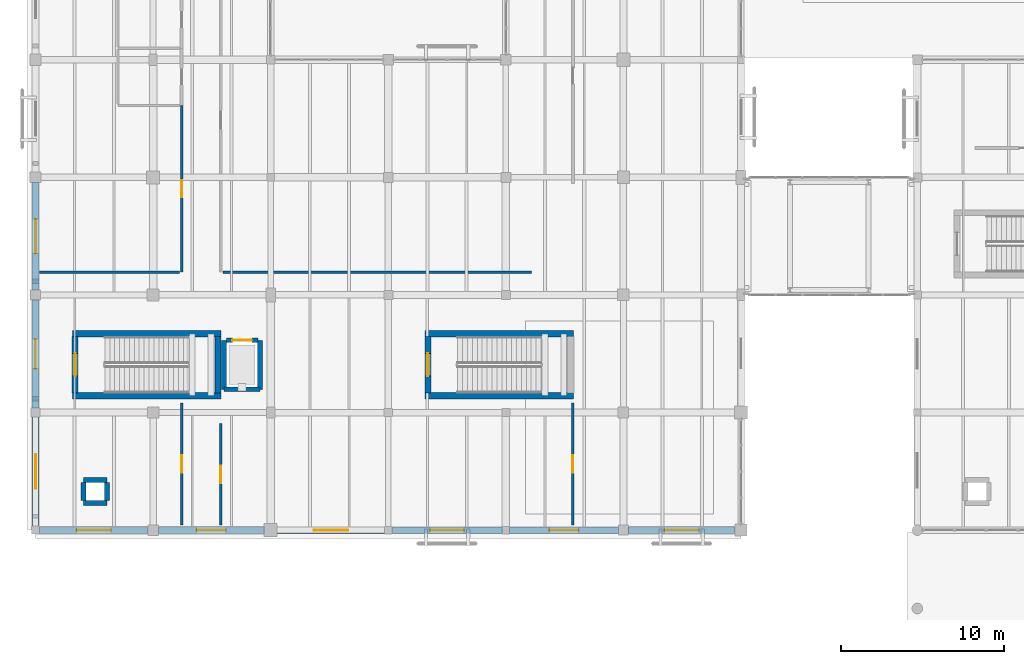
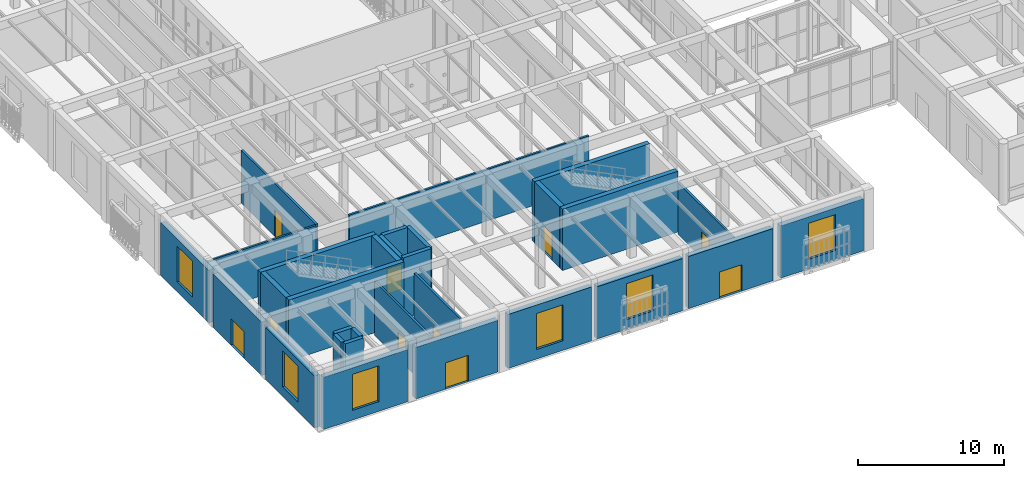
# One storey, part 120 of 169: 30 walls, 10 doors, 6 windows, 16 openings.
"""IFC4 building model written with IfcOpenShell, lengths in metres."""

from ifc_helpers import new_model, si_unit, direction, frame, frame_2d, origin, place, context, subcontext, project, spatial, rectangle, extrude, material, layer, layer_set, type_object, element, fill, save


model = new_model("IFC4")

# Units and contexts
model_context = context("Model", 3, precision=1e-05, world=origin(), true_north=direction((0.0, 1.0)))
body_context = subcontext(model_context, "Body", "Model", "MODEL_VIEW")
ifc_project = project(units=[si_unit("LENGTHUNIT", "METRE"), si_unit("AREAUNIT", "SQUARE_METRE"), si_unit("VOLUMEUNIT", "CUBIC_METRE"), si_unit("PLANEANGLEUNIT", "RADIAN"), si_unit("MASSUNIT", "GRAM", prefix="KILO")], contexts=[model_context])

# Site, building, storey
site_placement = place(None, origin())
site = spatial("IfcSite", under=ifc_project, at=site_placement, CompositionType="ELEMENT")
building_placement = place(site_placement, origin())
building = spatial("IfcBuilding", under=site, at=building_placement, Name="Mazaris Harbour Polytechnic", CompositionType="ELEMENT")
storey_placement = place(building_placement, origin())
storey = spatial("IfcBuildingStorey", under=building, at=storey_placement, Name="L00", CompositionType="ELEMENT", Elevation=0.0)

# Walls
ifc_material_1 = material(Name="Double Gypsum and Mineral Wool")
ifc_layer_1 = layer(ifc_material_1, 0.14990234375, Name="Double Gypsum and Mineral Wool")
ifc_layer_set_1 = layer_set([ifc_layer_1], Name="Double Gypsum and Mineral Wool")
wall_type_1 = type_object("IfcWallType", Name="Classroom Acoustic Partition 150", PredefinedType="PARTITIONING", material=ifc_layer_set_1)
wall_1_placement = place(storey_placement, frame((0.25, 23.0, 0.0), z_axis=(0.0, 0.0, 1.0), x_axis=(1.0, 0.0, 0.0)))
element("IfcWall", 1, at=wall_1_placement, inside=storey, type_object=wall_type_1, Name="V4 L00 Partition 290", PredefinedType="PARTITIONING", context=body_context, shape_type="SweptSolid", body=[
    extrude(rectangle(XDim=8.580078125, YDim=0.14990234375, at=frame_2d((4.2900390625, 0.0))), origin(), (0.0, 0.0, 1.0), 4.35009765625),
])
wall_2_placement = place(storey_placement, frame((11.469970703125, 23.0, 0.0), z_axis=(0.0, 0.0, 1.0), x_axis=(1.0, 0.0, 0.0)))
element("IfcWall", 2, at=wall_2_placement, inside=storey, type_object=wall_type_1, Name="V4 L00 Partition 302", PredefinedType="PARTITIONING", context=body_context, shape_type="SweptSolid", body=[
    extrude(rectangle(XDim=18.909912109375, YDim=0.14990234375, at=frame_2d((9.455078125, 0.0))), origin(), (0.0, 0.0, 1.0), 4.300048828125),
])

# Wall, opening, door
ifc_material_2 = material(Name="Fireboard and Mineral Wool")
ifc_layer_2 = layer(ifc_material_2, 0.1650390625, Name="Fireboard and Mineral Wool")
ifc_layer_set_2 = layer_set([ifc_layer_2], Name="Fireboard and Mineral Wool")
wall_type_2 = type_object("IfcWallType", Name="Laboratory Rated Partition 165", PredefinedType="PARTITIONING", material=ifc_layer_set_2)
wall_3_placement = place(storey_placement, frame((8.949951171875, 7.5, 0.0), z_axis=(0.0, 0.0, 1.0), x_axis=(0.0, 1.0, 0.0)))
wall_3 = element("IfcWall", 3, at=wall_3_placement, inside=storey, type_object=wall_type_2, Name="V4 L00 Partition 289", PredefinedType="PARTITIONING", context=body_context, shape_type="SweptSolid", body=[
    extrude(rectangle(XDim=7.4951171875, YDim=0.1650390625, at=frame_2d((3.74755859375, 0.0))), origin(), (0.0, 0.0, 1.0), 4.5),
])
opening_1_placement = place(wall_3_placement, frame((3.217529296875, 0.0, 0.0)))
opening_1 = element("IfcOpeningElement", 4, at=opening_1_placement, cuts=wall_3, Name="Opening ID-02R", PredefinedType="OPENING", context=body_context, shape_type="SweptSolid", body=[
    extrude(rectangle(XDim=1.06005859375, YDim=2.199951171875, at=frame_2d((0.530029296875, 1.10009765625))), frame((0.0, 0.092529296875, 0.0), z_axis=(0.0, -1.0, 0.0), x_axis=(1.0, 0.0, 0.0)), (0.0, 0.0, 1.0), 0.18505859375),
])
ifc_material_3 = material(Name="Solid Timber and Vision Panel", Category="wood")
door_type_1 = type_object("IfcDoorType", Name="Laboratory Fire Door RH 1060x2200", OperationType="SINGLE_SWING_RIGHT", PredefinedType="DOOR", material=ifc_material_3)
door_1_placement = place(opening_1_placement, origin())
door_1 = element("IfcDoor", 5, at=door_1_placement, inside=storey, type_object=door_type_1, Name="ID-0132", OperationType="SINGLE_SWING_RIGHT", OverallHeight=2.199951171875, OverallWidth=1.06005859375, PredefinedType="DOOR", context=body_context, shape_type="SweptSolid", body=[
    extrude(rectangle(XDim=1.06005859375, YDim=2.199951171875, at=frame_2d((0.530029296875, 1.10009765625))), frame((0.0, 0.02490234375, 0.0), z_axis=(0.0, -1.0, 0.0), x_axis=(1.0, 0.0, 0.0)), (0.0, 0.0, 1.0), 0.050048828125),
])
fill(opening_1, door_1)

wall_4_placement = place(storey_placement, frame((8.949951171875, 23.0, 0.0), z_axis=(0.0, 0.0, 1.0), x_axis=(0.0, 1.0, 0.0)))
wall_4 = element("IfcWall", 6, at=wall_4_placement, inside=storey, type_object=wall_type_2, Name="V4 L00 Partition 291", PredefinedType="PARTITIONING", context=body_context, shape_type="SweptSolid", body=[
    extrude(rectangle(XDim=10.195068359375, YDim=0.1650390625, at=frame_2d((5.09765625, 0.0))), origin(), (0.0, 0.0, 1.0), 4.39990234375),
])
opening_2_placement = place(wall_4_placement, frame((4.572509765625, 0.0, 0.0)))
opening_2 = element("IfcOpeningElement", 7, at=opening_2_placement, cuts=wall_4, Name="Opening ID-02L", PredefinedType="OPENING", context=body_context, shape_type="SweptSolid", body=[
    extrude(rectangle(XDim=1.050048828125, YDim=2.199951171875, at=frame_2d((0.52490234375, 1.10009765625))), frame((0.0, 0.092529296875, 0.0), z_axis=(0.0, -1.0, 0.0), x_axis=(1.0, 0.0, 0.0)), (0.0, 0.0, 1.0), 0.18505859375),
])
ifc_material_4 = material(Name="Solid Timber and Vision Panel", Category="wood")
door_type_2 = type_object("IfcDoorType", Name="Laboratory Fire Door LH 1050x2200", OperationType="SINGLE_SWING_LEFT", PredefinedType="DOOR", material=ifc_material_4)
door_2_placement = place(opening_2_placement, origin())
door_2 = element("IfcDoor", 8, at=door_2_placement, inside=storey, type_object=door_type_2, Name="ID-0133", OperationType="SINGLE_SWING_LEFT", OverallHeight=2.199951171875, OverallWidth=1.050048828125, PredefinedType="DOOR", context=body_context, shape_type="SweptSolid", body=[
    extrude(rectangle(XDim=1.050048828125, YDim=2.199951171875, at=frame_2d((0.52490234375, 1.10009765625))), frame((0.0, 0.02490234375, 0.0), z_axis=(0.0, -1.0, 0.0), x_axis=(1.0, 0.0, 0.0)), (0.0, 0.0, 1.0), 0.050048828125),
])
fill(opening_2, door_2)

wall_5_placement = place(storey_placement, frame((11.35009765625, 7.5, 0.0), z_axis=(0.0, 0.0, 1.0), x_axis=(0.0, 1.0, 0.0)))
wall_5 = element("IfcWall", 9, at=wall_5_placement, inside=storey, type_object=wall_type_2, Name="V4 L00 Partition 300", PredefinedType="PARTITIONING", context=body_context, shape_type="SweptSolid", body=[
    extrude(rectangle(XDim=6.219970703125, YDim=0.1650390625, at=frame_2d((3.10986328125, 0.0))), origin(), (0.0, 0.0, 1.0), 5.10009765625),
])
opening_3_placement = place(wall_5_placement, frame((2.580078125, 0.0, 0.0)))
opening_3 = element("IfcOpeningElement", 10, at=opening_3_placement, cuts=wall_5, Name="Opening ID-02R", PredefinedType="OPENING", context=body_context, shape_type="SweptSolid", body=[
    extrude(rectangle(XDim=1.06005859375, YDim=2.199951171875, at=frame_2d((0.530029296875, 1.10009765625))), frame((0.0, 0.092529296875, 0.0), z_axis=(0.0, -1.0, 0.0), x_axis=(1.0, 0.0, 0.0)), (0.0, 0.0, 1.0), 0.18505859375),
])
door_3_placement = place(opening_3_placement, origin())
door_3 = element("IfcDoor", 11, at=door_3_placement, inside=storey, type_object=door_type_1, Name="ID-0138", OperationType="SINGLE_SWING_RIGHT", OverallHeight=2.199951171875, OverallWidth=1.06005859375, PredefinedType="DOOR", context=body_context, shape_type="SweptSolid", body=[
    extrude(rectangle(XDim=1.06005859375, YDim=2.199951171875, at=frame_2d((0.530029296875, 1.10009765625))), frame((0.0, 0.02490234375, 0.0), z_axis=(0.0, -1.0, 0.0), x_axis=(1.0, 0.0, 0.0)), (0.0, 0.0, 1.0), 0.050048828125),
])
fill(opening_3, door_3)

wall_6_placement = place(storey_placement, frame((32.89990234375, 7.5, 0.0), z_axis=(0.0, 0.0, 1.0), x_axis=(0.0, 1.0, 0.0)))
wall_6 = element("IfcWall", 12, at=wall_6_placement, inside=storey, type_object=wall_type_2, Name="V4 L00 Partition 311", PredefinedType="PARTITIONING", context=body_context, shape_type="SweptSolid", body=[
    extrude(rectangle(XDim=7.4951171875, YDim=0.1650390625, at=frame_2d((3.74755859375, 0.0))), origin(), (0.0, 0.0, 1.0), 4.35009765625),
])
opening_4_placement = place(wall_6_placement, frame((3.217529296875, 0.0, 0.0)))
opening_4 = element("IfcOpeningElement", 13, at=opening_4_placement, cuts=wall_6, Name="Opening ID-02R", PredefinedType="OPENING", context=body_context, shape_type="SweptSolid", body=[
    extrude(rectangle(XDim=1.06005859375, YDim=2.199951171875, at=frame_2d((0.530029296875, 1.10009765625))), frame((0.0, 0.092529296875, 0.0), z_axis=(0.0, -1.0, 0.0), x_axis=(1.0, 0.0, 0.0)), (0.0, 0.0, 1.0), 0.18505859375),
])
door_4_placement = place(opening_4_placement, origin())
door_4 = element("IfcDoor", 14, at=door_4_placement, inside=storey, type_object=door_type_1, Name="ID-0144", OperationType="SINGLE_SWING_RIGHT", OverallHeight=2.199951171875, OverallWidth=1.06005859375, PredefinedType="DOOR", context=body_context, shape_type="SweptSolid", body=[
    extrude(rectangle(XDim=1.06005859375, YDim=2.199951171875, at=frame_2d((0.530029296875, 1.10009765625))), frame((0.0, 0.02490234375, 0.0), z_axis=(0.0, -1.0, 0.0), x_axis=(1.0, 0.0, 0.0)), (0.0, 0.0, 1.0), 0.050048828125),
])
fill(opening_4, door_4)

# Wall, opening, window
ifc_material_5 = material(Name="Algerian Buff Limestone and Concrete C35/45", Category="masonry")
ifc_layer_3 = layer(ifc_material_5, 0.409912109375, Name="Algerian Buff Limestone and Concrete C35/45")
ifc_layer_set_3 = layer_set([ifc_layer_3], Name="Algerian Buff Limestone and Concrete C35/45")
wall_type_3 = type_object("IfcWallType", Name="Limestone Rusticated Base Wall 410", PredefinedType="STANDARD", material=ifc_layer_set_3)
wall_7_placement = place(storey_placement, frame((6.883056640625, 7.199951171875, 0.0), z_axis=(0.0, 0.0, 1.0), x_axis=(-1.0, 0.0, 0.0)))
wall_7 = element("IfcWall", 15, at=wall_7_placement, inside=storey, type_object=wall_type_3, Name="V4 L00 Exterior Wall 128", PredefinedType="STANDARD", context=body_context, shape_type="SweptSolid", body=[
    extrude(rectangle(XDim=6.64111328125, YDim=0.409912109375, at=frame_2d((3.320556640625, 0.0))), origin(), (0.0, 0.0, 1.0), 4.35009765625),
])
opening_5_placement = place(wall_7_placement, frame((2.2705078125, 0.0, 0.800048828125)))
opening_5 = element("IfcOpeningElement", 16, at=opening_5_placement, cuts=wall_7, Name="Opening WN-05", PredefinedType="OPENING", context=body_context, shape_type="SweptSolid", body=[
    extrude(rectangle(XDim=2.10009765625, YDim=3.0, at=frame_2d((1.050048828125, 1.5))), frame((0.0, 0.21484375, 0.0), z_axis=(0.0, -1.0, 0.0), x_axis=(1.0, 0.0, 0.0)), (0.0, 0.0, 1.0), 0.429931640625),
])
ifc_material_6 = material(Name="Thermally Broken Bronze Aluminium and Low-E Glass", Category="aluminium")
window_type = type_object("IfcWindowType", Name="Podium Arch-Head Window 2100x3000", PartitioningType="DOUBLE_PANEL_VERTICAL", PredefinedType="WINDOW", material=ifc_material_6)
window_1_placement = place(opening_5_placement, origin())
window_1 = element("IfcWindow", 17, at=window_1_placement, inside=storey, type_object=window_type, Name="WN-0138", OverallHeight=3.0, OverallWidth=2.10009765625, PartitioningType="DOUBLE_PANEL_VERTICAL", PredefinedType="WINDOW", context=body_context, shape_type="SweptSolid", body=[
    extrude(rectangle(XDim=2.10009765625, YDim=3.0, at=frame_2d((1.050048828125, 1.5))), frame((0.0, 0.030029296875, 0.0), z_axis=(0.0, -1.0, 0.0), x_axis=(1.0, 0.0, 0.0)), (0.0, 0.0, 1.0), 0.06005859375),
])
fill(opening_5, window_1)

# Wall, opening, door
wall_8_placement = place(storey_placement, frame((14.008056640625, 7.199951171875, 0.0), z_axis=(0.0, 0.0, 1.0), x_axis=(-1.0, 0.0, 0.0)))
wall_8 = element("IfcWall", 18, at=wall_8_placement, inside=storey, type_object=wall_type_3, Name="V4 L00 Exterior Wall 129", PredefinedType="STANDARD", context=body_context, shape_type="SweptSolid", body=[
    extrude(rectangle(XDim=6.490966796875, YDim=0.409912109375, at=frame_2d((3.24560546875, 0.0))), origin(), (0.0, 0.0, 1.0), 4.300048828125),
])
opening_6_placement = place(wall_8_placement, frame((2.345458984375, 0.0, 0.0)))
opening_6 = element("IfcOpeningElement", 19, at=opening_6_placement, cuts=wall_8, Name="Opening ED-03", PredefinedType="OPENING", context=body_context, shape_type="SweptSolid", body=[
    extrude(rectangle(XDim=1.800048828125, YDim=2.199951171875, at=frame_2d((0.89990234375, 1.10009765625))), frame((0.0, 0.21484375, 0.0), z_axis=(0.0, -1.0, 0.0), x_axis=(1.0, 0.0, 0.0)), (0.0, 0.0, 1.0), 0.429931640625),
])
ifc_material_7 = material(Name="Anodised Bronze Steel and Laminated Safety Glass", Category="steel")
door_type_3 = type_object("IfcDoorType", Name="Perimeter Final Exit Door 1800x2200", OperationType="DOUBLE_DOOR_SINGLE_SWING", PredefinedType="DOOR", material=ifc_material_7)
door_5_placement = place(opening_6_placement, origin())
door_5 = element("IfcDoor", 20, at=door_5_placement, inside=storey, type_object=door_type_3, Name="EXD-021", OperationType="DOUBLE_DOOR_SINGLE_SWING", OverallHeight=2.199951171875, OverallWidth=1.800048828125, PredefinedType="DOOR", context=body_context, shape_type="SweptSolid", body=[
    extrude(rectangle(XDim=1.800048828125, YDim=2.199951171875, at=frame_2d((0.89990234375, 1.10009765625))), frame((0.0, 0.02490234375, 0.0), z_axis=(0.0, -1.0, 0.0), x_axis=(1.0, 0.0, 0.0)), (0.0, 0.0, 1.0), 0.050048828125),
])
fill(opening_6, door_5)

# Wall, opening, window
wall_9_placement = place(storey_placement, frame((21.383056640625, 7.199951171875, 0.0), z_axis=(0.0, 0.0, 1.0), x_axis=(-1.0, 0.0, 0.0)))
wall_9 = element("IfcWall", 21, at=wall_9_placement, inside=storey, type_object=wall_type_3, Name="V4 L00 Exterior Wall 130", PredefinedType="STANDARD", context=body_context, shape_type="SweptSolid", body=[
    extrude(rectangle(XDim=6.591064453125, YDim=0.409912109375, at=frame_2d((3.29541015625, 0.0))), origin(), (0.0, 0.0, 1.0), 4.5),
])
opening_7_placement = place(wall_9_placement, frame((2.24560546875, 0.0, 0.800048828125)))
opening_7 = element("IfcOpeningElement", 22, at=opening_7_placement, cuts=wall_9, Name="Opening WN-05", PredefinedType="OPENING", context=body_context, shape_type="SweptSolid", body=[
    extrude(rectangle(XDim=2.10009765625, YDim=3.0, at=frame_2d((1.050048828125, 1.5))), frame((0.0, 0.21484375, 0.0), z_axis=(0.0, -1.0, 0.0), x_axis=(1.0, 0.0, 0.0)), (0.0, 0.0, 1.0), 0.429931640625),
])
window_2_placement = place(opening_7_placement, origin())
window_2 = element("IfcWindow", 23, at=window_2_placement, inside=storey, type_object=window_type, Name="WN-0139", OverallHeight=3.0, OverallWidth=2.10009765625, PartitioningType="DOUBLE_PANEL_VERTICAL", PredefinedType="WINDOW", context=body_context, shape_type="SweptSolid", body=[
    extrude(rectangle(XDim=2.10009765625, YDim=3.0, at=frame_2d((1.050048828125, 1.5))), frame((0.0, 0.030029296875, 0.0), z_axis=(0.0, -1.0, 0.0), x_axis=(1.0, 0.0, 0.0)), (0.0, 0.0, 1.0), 0.06005859375),
])
fill(opening_7, window_2)

wall_10_placement = place(storey_placement, frame((28.5830078125, 7.199951171875, 0.0), z_axis=(0.0, 0.0, 1.0), x_axis=(-1.0, 0.0, 0.0)))
wall_10 = element("IfcWall", 24, at=wall_10_placement, inside=storey, type_object=wall_type_3, Name="V4 L00 Exterior Wall 131", PredefinedType="STANDARD", context=body_context, shape_type="SweptSolid", body=[
    extrude(rectangle(XDim=6.76611328125, YDim=0.409912109375, at=frame_2d((3.383056640625, 0.0))), origin(), (0.0, 0.0, 1.0), 4.35009765625),
])
opening_8_placement = place(wall_10_placement, frame((2.3330078125, 0.0, 0.800048828125)))
opening_8 = element("IfcOpeningElement", 25, at=opening_8_placement, cuts=wall_10, Name="Opening WN-05", PredefinedType="OPENING", context=body_context, shape_type="SweptSolid", body=[
    extrude(rectangle(XDim=2.10009765625, YDim=3.0, at=frame_2d((1.050048828125, 1.5))), frame((0.0, 0.21484375, 0.0), z_axis=(0.0, -1.0, 0.0), x_axis=(1.0, 0.0, 0.0)), (0.0, 0.0, 1.0), 0.429931640625),
])
window_3_placement = place(opening_8_placement, origin())
window_3 = element("IfcWindow", 26, at=window_3_placement, inside=storey, type_object=window_type, Name="WN-0140", OverallHeight=3.0, OverallWidth=2.10009765625, PartitioningType="DOUBLE_PANEL_VERTICAL", PredefinedType="WINDOW", context=body_context, shape_type="SweptSolid", body=[
    extrude(rectangle(XDim=2.10009765625, YDim=3.0, at=frame_2d((1.050048828125, 1.5))), frame((0.0, 0.030029296875, 0.0), z_axis=(0.0, -1.0, 0.0), x_axis=(1.0, 0.0, 0.0)), (0.0, 0.0, 1.0), 0.06005859375),
])
fill(opening_8, window_3)

# Wall, opening, door
wall_11_placement = place(storey_placement, frame((35.7080078125, 7.199951171875, 0.0), z_axis=(0.0, 0.0, 1.0), x_axis=(-1.0, 0.0, 0.0)))
wall_11 = element("IfcWall", 27, at=wall_11_placement, inside=storey, type_object=wall_type_3, Name="V4 L00 Exterior Wall 132", PredefinedType="STANDARD", context=body_context, shape_type="SweptSolid", body=[
    extrude(rectangle(XDim=6.69091796875, YDim=0.409912109375, at=frame_2d((3.345458984375, 0.0))), origin(), (0.0, 0.0, 1.0), 4.35009765625),
])
opening_9_placement = place(wall_11_placement, frame((2.445556640625, 0.0, 0.0)))
opening_9 = element("IfcOpeningElement", 28, at=opening_9_placement, cuts=wall_11, Name="Opening ED-03", PredefinedType="OPENING", context=body_context, shape_type="SweptSolid", body=[
    extrude(rectangle(XDim=1.800048828125, YDim=2.199951171875, at=frame_2d((0.89990234375, 1.10009765625))), frame((0.0, 0.21484375, 0.0), z_axis=(0.0, -1.0, 0.0), x_axis=(1.0, 0.0, 0.0)), (0.0, 0.0, 1.0), 0.429931640625),
])
door_6_placement = place(opening_9_placement, origin())
door_6 = element("IfcDoor", 29, at=door_6_placement, inside=storey, type_object=door_type_3, Name="EXD-022", OperationType="DOUBLE_DOOR_SINGLE_SWING", OverallHeight=2.199951171875, OverallWidth=1.800048828125, PredefinedType="DOOR", context=body_context, shape_type="SweptSolid", body=[
    extrude(rectangle(XDim=1.800048828125, YDim=2.199951171875, at=frame_2d((0.89990234375, 1.10009765625))), frame((0.0, 0.02490234375, 0.0), z_axis=(0.0, -1.0, 0.0), x_axis=(1.0, 0.0, 0.0)), (0.0, 0.0, 1.0), 0.050048828125),
])
fill(opening_9, door_6)

# Wall, opening, window
wall_12_placement = place(storey_placement, frame((42.8330078125, 7.199951171875, 0.0), z_axis=(0.0, 0.0, 1.0), x_axis=(-1.0, 0.0, 0.0)))
wall_12 = element("IfcWall", 30, at=wall_12_placement, inside=storey, type_object=wall_type_3, Name="V4 L00 Exterior Wall 133", PredefinedType="STANDARD", context=body_context, shape_type="SweptSolid", body=[
    extrude(rectangle(XDim=6.541015625, YDim=0.409912109375, at=frame_2d((3.2705078125, 0.0))), origin(), (0.0, 0.0, 1.0), 4.35009765625),
])
opening_10_placement = place(wall_12_placement, frame((2.220458984375, 0.0, 0.800048828125)))
opening_10 = element("IfcOpeningElement", 31, at=opening_10_placement, cuts=wall_12, Name="Opening WN-05", PredefinedType="OPENING", context=body_context, shape_type="SweptSolid", body=[
    extrude(rectangle(XDim=2.10009765625, YDim=3.0, at=frame_2d((1.050048828125, 1.5))), frame((0.0, 0.21484375, 0.0), z_axis=(0.0, -1.0, 0.0), x_axis=(1.0, 0.0, 0.0)), (0.0, 0.0, 1.0), 0.429931640625),
])
window_4_placement = place(opening_10_placement, origin())
window_4 = element("IfcWindow", 32, at=window_4_placement, inside=storey, type_object=window_type, Name="WN-0141", OverallHeight=3.0, OverallWidth=2.10009765625, PartitioningType="DOUBLE_PANEL_VERTICAL", PredefinedType="WINDOW", context=body_context, shape_type="SweptSolid", body=[
    extrude(rectangle(XDim=2.10009765625, YDim=3.0, at=frame_2d((1.050048828125, 1.5))), frame((0.0, 0.030029296875, 0.0), z_axis=(0.0, -1.0, 0.0), x_axis=(1.0, 0.0, 0.0)), (0.0, 0.0, 1.0), 0.06005859375),
])
fill(opening_10, window_4)

wall_13_placement = place(storey_placement, frame((0.0, 7.44189453125, 0.0), z_axis=(0.0, 0.0, 1.0), x_axis=(0.0, 1.0, 0.0)))
wall_13 = element("IfcWall", 33, at=wall_13_placement, inside=storey, type_object=wall_type_3, Name="V4 L00 Exterior Wall 140", PredefinedType="STANDARD", context=body_context, shape_type="SweptSolid", body=[
    extrude(rectangle(XDim=6.691162109375, YDim=0.409912109375, at=frame_2d((3.345703125, 0.0))), origin(), (0.0, 0.0, 1.0), 4.35009765625),
])
opening_11_placement = place(wall_13_placement, frame((2.29541015625, 0.0, 0.800048828125)))
opening_11 = element("IfcOpeningElement", 34, at=opening_11_placement, cuts=wall_13, Name="Opening WN-05", PredefinedType="OPENING", context=body_context, shape_type="SweptSolid", body=[
    extrude(rectangle(XDim=2.10009765625, YDim=3.0, at=frame_2d((1.050048828125, 1.5))), frame((0.0, 0.21484375, 0.0), z_axis=(0.0, -1.0, 0.0), x_axis=(1.0, 0.0, 0.0)), (0.0, 0.0, 1.0), 0.429931640625),
])
window_5_placement = place(opening_11_placement, origin())
window_5 = element("IfcWindow", 35, at=window_5_placement, inside=storey, type_object=window_type, Name="WN-0146", OverallHeight=3.0, OverallWidth=2.10009765625, PartitioningType="DOUBLE_PANEL_VERTICAL", PredefinedType="WINDOW", context=body_context, shape_type="SweptSolid", body=[
    extrude(rectangle(XDim=2.10009765625, YDim=3.0, at=frame_2d((1.050048828125, 1.5))), frame((0.0, 0.030029296875, 0.0), z_axis=(0.0, -1.0, 0.0), x_axis=(1.0, 0.0, 0.0)), (0.0, 0.0, 1.0), 0.06005859375),
])
fill(opening_11, window_5)

# Wall, opening, door
wall_14_placement = place(storey_placement, frame((0.0, 14.6669921875, 0.0), z_axis=(0.0, 0.0, 1.0), x_axis=(0.0, 1.0, 0.0)))
wall_14 = element("IfcWall", 36, at=wall_14_placement, inside=storey, type_object=wall_type_3, Name="V4 L00 Exterior Wall 141", PredefinedType="STANDARD", context=body_context, shape_type="SweptSolid", body=[
    extrude(rectangle(XDim=6.64111328125, YDim=0.409912109375, at=frame_2d((3.320556640625, 0.0))), origin(), (0.0, 0.0, 1.0), 4.449951171875),
])
opening_12_placement = place(wall_14_placement, frame((2.42041015625, 0.0, 0.0)))
opening_12 = element("IfcOpeningElement", 37, at=opening_12_placement, cuts=wall_14, Name="Opening ED-03", PredefinedType="OPENING", context=body_context, shape_type="SweptSolid", body=[
    extrude(rectangle(XDim=1.800048828125, YDim=2.199951171875, at=frame_2d((0.89990234375, 1.10009765625))), frame((0.0, 0.21484375, 0.0), z_axis=(0.0, -1.0, 0.0), x_axis=(1.0, 0.0, 0.0)), (0.0, 0.0, 1.0), 0.429931640625),
])
door_7_placement = place(opening_12_placement, origin())
door_7 = element("IfcDoor", 38, at=door_7_placement, inside=storey, type_object=door_type_3, Name="EXD-025", OperationType="DOUBLE_DOOR_SINGLE_SWING", OverallHeight=2.199951171875, OverallWidth=1.800048828125, PredefinedType="DOOR", context=body_context, shape_type="SweptSolid", body=[
    extrude(rectangle(XDim=1.800048828125, YDim=2.199951171875, at=frame_2d((0.89990234375, 1.10009765625))), frame((0.0, 0.02490234375, 0.0), z_axis=(0.0, -1.0, 0.0), x_axis=(1.0, 0.0, 0.0)), (0.0, 0.0, 1.0), 0.050048828125),
])
fill(opening_12, door_7)

# Wall, opening, window
wall_15_placement = place(storey_placement, frame((0.0, 21.89208984375, 0.0), z_axis=(0.0, 0.0, 1.0), x_axis=(0.0, 1.0, 0.0)))
wall_15 = element("IfcWall", 39, at=wall_15_placement, inside=storey, type_object=wall_type_3, Name="V4 L00 Exterior Wall 142", PredefinedType="STANDARD", context=body_context, shape_type="SweptSolid", body=[
    extrude(rectangle(XDim=6.5908203125, YDim=0.409912109375, at=frame_2d((3.29541015625, 0.0))), origin(), (0.0, 0.0, 1.0), 4.39990234375),
])
opening_13_placement = place(wall_15_placement, frame((2.24560546875, 0.0, 0.800048828125)))
opening_13 = element("IfcOpeningElement", 40, at=opening_13_placement, cuts=wall_15, Name="Opening WN-05", PredefinedType="OPENING", context=body_context, shape_type="SweptSolid", body=[
    extrude(rectangle(XDim=2.10009765625, YDim=3.0, at=frame_2d((1.050048828125, 1.5))), frame((0.0, 0.21484375, 0.0), z_axis=(0.0, -1.0, 0.0), x_axis=(1.0, 0.0, 0.0)), (0.0, 0.0, 1.0), 0.429931640625),
])
window_6_placement = place(opening_13_placement, origin())
window_6 = element("IfcWindow", 41, at=window_6_placement, inside=storey, type_object=window_type, Name="WN-0147", OverallHeight=3.0, OverallWidth=2.10009765625, PartitioningType="DOUBLE_PANEL_VERTICAL", PredefinedType="WINDOW", context=body_context, shape_type="SweptSolid", body=[
    extrude(rectangle(XDim=2.10009765625, YDim=3.0, at=frame_2d((1.050048828125, 1.5))), frame((0.0, 0.030029296875, 0.0), z_axis=(0.0, -1.0, 0.0), x_axis=(1.0, 0.0, 0.0)), (0.0, 0.0, 1.0), 0.06005859375),
])
fill(opening_13, window_6)

# Walls
ifc_material_8 = material(Name="Concrete C40/50", Category="concrete")
ifc_layer_4 = layer(ifc_material_8, 0.375, Name="Concrete C40/50")
ifc_layer_set_4 = layer_set([ifc_layer_4], Name="Concrete C40/50")
wall_type_4 = type_object("IfcWallType", Name="RC Core Shear Wall 375", PredefinedType="SHEAR", material=ifc_layer_set_4)
for number, where, z_axis, x_axis, name in (
    (42, (2.25, 15.425048828125, 0.0), (0.0, 0.0, 1.0), (1.0, 0.0, 0.0), "Core ST07 L00 Shear Wall S"),
    (43, (11.35009765625, 19.22509765625, 0.0), (0.0, 0.0, 1.0), (-1.0, 0.0, 0.0), "Core ST07 L00 Shear Wall N"),
):
    element("IfcWall", number, at=place(storey_placement, frame(where, z_axis=z_axis, x_axis=x_axis)), inside=storey, type_object=wall_type_4, Name=name, PredefinedType="SHEAR", context=body_context, shape_type="SweptSolid", body=[
        extrude(rectangle(XDim=9.10009765625, YDim=0.375, at=frame_2d((4.550048828125, 0.0))), origin(), (0.0, 0.0, 1.0), 5.10009765625),
    ])
wall_16_placement = place(storey_placement, frame((11.175048828125, 15.60009765625, 0.0), z_axis=(0.0, 0.0, 1.0), x_axis=(0.0, 1.0, 0.0)))
element("IfcWall", 44, at=wall_16_placement, inside=storey, type_object=wall_type_4, Name="Core ST07 L00 Shear Wall E", PredefinedType="SHEAR", context=body_context, shape_type="SweptSolid", body=[
    extrude(rectangle(XDim=3.449951171875, YDim=0.375, at=frame_2d((1.72509765625, 0.0))), origin(), (0.0, 0.0, 1.0), 5.10009765625),
])
for number, where, z_axis, x_axis, name in (
    (45, (23.85009765625, 15.425048828125, 0.0), (0.0, 0.0, 1.0), (1.0, 0.0, 0.0), "Core ST08 L00 Shear Wall S"),
    (46, (32.949951171875, 19.22509765625, 0.0), (0.0, 0.0, 1.0), (-1.0, 0.0, 0.0), "Core ST08 L00 Shear Wall N"),
):
    element("IfcWall", number, at=place(storey_placement, frame(where, z_axis=z_axis, x_axis=x_axis)), inside=storey, type_object=wall_type_4, Name=name, PredefinedType="SHEAR", context=body_context, shape_type="SweptSolid", body=[
        extrude(rectangle(XDim=9.099853515625, YDim=0.375, at=frame_2d((4.5498046875, 0.0))), origin(), (0.0, 0.0, 1.0), 5.10009765625),
    ])

# Wall, opening, door
wall_17_placement = place(storey_placement, frame((2.425048828125, 19.050048828125, 0.0), z_axis=(0.0, 0.0, 1.0), x_axis=(0.0, -1.0, 0.0)))
wall_17 = element("IfcWall", 47, at=wall_17_placement, inside=storey, type_object=wall_type_4, Name="Core ST07 L00 Entrance Shear Wall", PredefinedType="SHEAR", context=body_context, shape_type="SweptSolid", body=[
    extrude(rectangle(XDim=3.449951171875, YDim=0.375, at=frame_2d((1.72509765625, 0.0))), origin(), (0.0, 0.0, 1.0), 5.10009765625),
])
opening_14_placement = place(wall_17_placement, frame((1.034912109375, 0.0, 0.0)))
opening_14 = element("IfcOpeningElement", 48, at=opening_14_placement, cuts=wall_17, Name="Opening SD-01", PredefinedType="OPENING", context=body_context, shape_type="SweptSolid", body=[
    extrude(rectangle(XDim=1.3798828125, YDim=2.199951171875, at=frame_2d((0.68994140625, 1.10009765625))), frame((0.0, 0.197509765625, 0.0), z_axis=(0.0, -1.0, 0.0), x_axis=(1.0, 0.0, 0.0)), (0.0, 0.0, 1.0), 0.39501953125),
])
ifc_material_9 = material(Name="Glulam Timber and Fire Glass", Category="wood")
door_type_4 = type_object("IfcDoorType", Name="Protected Stair Lobby Fire Door 1380x2200", OperationType="DOUBLE_DOOR_SINGLE_SWING", PredefinedType="DOOR", material=ifc_material_9)
door_8_placement = place(opening_14_placement, origin())
door_8 = element("IfcDoor", 49, at=door_8_placement, inside=storey, type_object=door_type_4, Name="SD-029", OperationType="DOUBLE_DOOR_SINGLE_SWING", OverallHeight=2.199951171875, OverallWidth=1.3798828125, PredefinedType="DOOR", context=body_context, shape_type="SweptSolid", body=[
    extrude(rectangle(XDim=1.3798828125, YDim=2.199951171875, at=frame_2d((0.68994140625, 1.10009765625))), frame((0.0, 0.02490234375, 0.0), z_axis=(0.0, -1.0, 0.0), x_axis=(1.0, 0.0, 0.0)), (0.0, 0.0, 1.0), 0.050048828125),
])
fill(opening_14, door_8)

wall_18_placement = place(storey_placement, frame((24.02490234375, 19.050048828125, 0.0), z_axis=(0.0, 0.0, 1.0), x_axis=(0.0, -1.0, 0.0)))
wall_18 = element("IfcWall", 50, at=wall_18_placement, inside=storey, type_object=wall_type_4, Name="Core ST08 L00 Entrance Shear Wall", PredefinedType="SHEAR", context=body_context, shape_type="SweptSolid", body=[
    extrude(rectangle(XDim=3.449951171875, YDim=0.375, at=frame_2d((1.72509765625, 0.0))), origin(), (0.0, 0.0, 1.0), 5.10009765625),
])
opening_15_placement = place(wall_18_placement, frame((1.034912109375, 0.0, 0.0)))
opening_15 = element("IfcOpeningElement", 51, at=opening_15_placement, cuts=wall_18, Name="Opening SD-01", PredefinedType="OPENING", context=body_context, shape_type="SweptSolid", body=[
    extrude(rectangle(XDim=1.3798828125, YDim=2.199951171875, at=frame_2d((0.68994140625, 1.10009765625))), frame((0.0, 0.197509765625, 0.0), z_axis=(0.0, -1.0, 0.0), x_axis=(1.0, 0.0, 0.0)), (0.0, 0.0, 1.0), 0.39501953125),
])
door_9_placement = place(opening_15_placement, origin())
door_9 = element("IfcDoor", 52, at=door_9_placement, inside=storey, type_object=door_type_4, Name="SD-036", OperationType="DOUBLE_DOOR_SINGLE_SWING", OverallHeight=2.199951171875, OverallWidth=1.3798828125, PredefinedType="DOOR", context=body_context, shape_type="SweptSolid", body=[
    extrude(rectangle(XDim=1.3798828125, YDim=2.199951171875, at=frame_2d((0.68994140625, 1.10009765625))), frame((0.0, 0.02490234375, 0.0), z_axis=(0.0, -1.0, 0.0), x_axis=(1.0, 0.0, 0.0)), (0.0, 0.0, 1.0), 0.050048828125),
])
fill(opening_15, door_9)

# Walls
ifc_material_10 = material(Name="Concrete C40/50", Category="concrete")
ifc_layer_5 = layer(ifc_material_10, 0.300048828125, Name="Concrete C40/50")
ifc_layer_set_5 = layer_set([ifc_layer_5], Name="Concrete C40/50")
wall_type_5 = type_object("IfcWallType", Name="RC Lift Shaft Wall 300", PredefinedType="SHEAR", material=ifc_layer_set_5)
wall_19_placement = place(storey_placement, frame((2.949951171875, 8.85009765625, 0.0), z_axis=(0.0, 0.0, 1.0), x_axis=(1.0, 0.0, 0.0)))
element("IfcWall", 53, at=wall_19_placement, inside=storey, type_object=wall_type_5, Name="V4 L00 Riser Enclosure Wall 1-1", PredefinedType="SHEAR", context=body_context, shape_type="SweptSolid", body=[
    extrude(rectangle(XDim=1.420166015625, YDim=0.300048828125, at=frame_2d((0.7099609375, 0.0))), origin(), (0.0, 0.0, 1.0), 5.159912109375),
])
wall_20_placement = place(storey_placement, frame((4.3701171875, 9.010009765625, 0.0), z_axis=(0.0, 0.0, 1.0), x_axis=(0.0, 1.0, 0.0)))
element("IfcWall", 54, at=wall_20_placement, inside=storey, type_object=wall_type_5, Name="V4 L00 Riser Enclosure Wall 1-2", PredefinedType="SHEAR", context=body_context, shape_type="SweptSolid", body=[
    extrude(rectangle(XDim=1.10009765625, YDim=0.300048828125, at=frame_2d((0.550048828125, 0.0))), origin(), (0.0, 0.0, 1.0), 5.159912109375),
])
wall_21_placement = place(storey_placement, frame((4.3701171875, 10.27001953125, 0.0), z_axis=(0.0, 0.0, 1.0), x_axis=(-1.0, 0.0, 0.0)))
element("IfcWall", 55, at=wall_21_placement, inside=storey, type_object=wall_type_5, Name="V4 L00 Riser Enclosure Wall 1-3", PredefinedType="SHEAR", context=body_context, shape_type="SweptSolid", body=[
    extrude(rectangle(XDim=1.420166015625, YDim=0.300048828125, at=frame_2d((0.7099609375, 0.0))), origin(), (0.0, 0.0, 1.0), 5.159912109375),
])
wall_22_placement = place(storey_placement, frame((2.949951171875, 10.110107421875, 0.0), z_axis=(0.0, 0.0, 1.0), x_axis=(0.0, -1.0, 0.0)))
element("IfcWall", 56, at=wall_22_placement, inside=storey, type_object=wall_type_5, Name="V4 L00 Riser Enclosure Wall 1-4", PredefinedType="SHEAR", context=body_context, shape_type="SweptSolid", body=[
    extrude(rectangle(XDim=1.10009765625, YDim=0.300048828125, at=frame_2d((0.550048828125, 0.0))), origin(), (0.0, 0.0, 1.0), 5.159912109375),
])
wall_23_placement = place(storey_placement, frame((11.550048828125, 15.824951171875, 0.0), z_axis=(0.0, 0.0, 1.0), x_axis=(1.0, 0.0, 0.0)))
element("IfcWall", 57, at=wall_23_placement, inside=storey, type_object=wall_type_5, Name="Lift LF-01 L00 South Shaft Wall", PredefinedType="SHEAR", context=body_context, shape_type="SweptSolid", body=[
    extrude(rectangle(XDim=2.199951171875, YDim=0.300048828125, at=frame_2d((1.10009765625, 0.0))), origin(), (0.0, 0.0, 1.0), 5.10009765625),
])
for number, where, z_axis, x_axis, name in (
    (58, (11.550048828125, 18.824951171875, 0.0), (0.0, 0.0, 1.0), (0.0, -1.0, 0.0), "Lift LF-01 L00 West Shaft Wall"),
    (59, (13.75, 15.824951171875, 0.0), (0.0, 0.0, 1.0), (0.0, 1.0, 0.0), "Lift LF-01 L00 East Shaft Wall"),
):
    element("IfcWall", number, at=place(storey_placement, frame(where, z_axis=z_axis, x_axis=x_axis)), inside=storey, type_object=wall_type_5, Name=name, PredefinedType="SHEAR", context=body_context, shape_type="SweptSolid", body=[
        extrude(rectangle(XDim=3.0, YDim=0.300048828125, at=frame_2d((1.5, 0.0))), origin(), (0.0, 0.0, 1.0), 5.10009765625),
    ])

# Wall, opening, door
wall_24_placement = place(storey_placement, frame((11.68994140625, 18.824951171875, 0.0), z_axis=(0.0, 0.0, 1.0), x_axis=(1.0, 0.0, 0.0)))
wall_24 = element("IfcWall", 60, at=wall_24_placement, inside=storey, type_object=wall_type_5, Name="Lift LF-01 L00 Front Shaft Wall", PredefinedType="SHEAR", context=body_context, shape_type="SweptSolid", body=[
    extrude(rectangle(XDim=1.920166015625, YDim=0.300048828125, at=frame_2d((0.9599609375, 0.0))), origin(), (0.0, 0.0, 1.0), 5.10009765625),
])
opening_16_placement = place(wall_24_placement, frame((0.360107421875, 0.0, 0.0)))
opening_16 = element("IfcOpeningElement", 61, at=opening_16_placement, cuts=wall_24, Name="Opening LD-02", PredefinedType="OPENING", context=body_context, shape_type="SweptSolid", body=[
    extrude(rectangle(XDim=1.199951171875, YDim=2.10009765625, at=frame_2d((0.60009765625, 1.050048828125))), frame((0.0, 0.159912109375, 0.0), z_axis=(0.0, -1.0, 0.0), x_axis=(1.0, 0.0, 0.0)), (0.0, 0.0, 1.0), 0.320068359375),
])
ifc_material_11 = material(Name="Stainless Steel S355", Category="steel")
door_type_5 = type_object("IfcDoorType", Name="Sliding Firefighting Lift Landing Door 1200x2100", OperationType="SLIDING_TO_LEFT", PredefinedType="DOOR", material=ifc_material_11)
door_10_placement = place(opening_16_placement, origin())
door_10 = element("IfcDoor", 62, at=door_10_placement, inside=storey, type_object=door_type_5, Name="LD-002", OperationType="SLIDING_TO_LEFT", OverallHeight=2.10009765625, OverallWidth=1.199951171875, PredefinedType="DOOR", context=body_context, shape_type="SweptSolid", body=[
    extrude(rectangle(XDim=1.199951171875, YDim=2.10009765625, at=frame_2d((0.60009765625, 1.050048828125))), frame((0.0, 0.02490234375, 0.0), z_axis=(0.0, -1.0, 0.0), x_axis=(1.0, 0.0, 0.0)), (0.0, 0.0, 1.0), 0.050048828125),
])
fill(opening_16, door_10)

save(model, "model.ifc")
